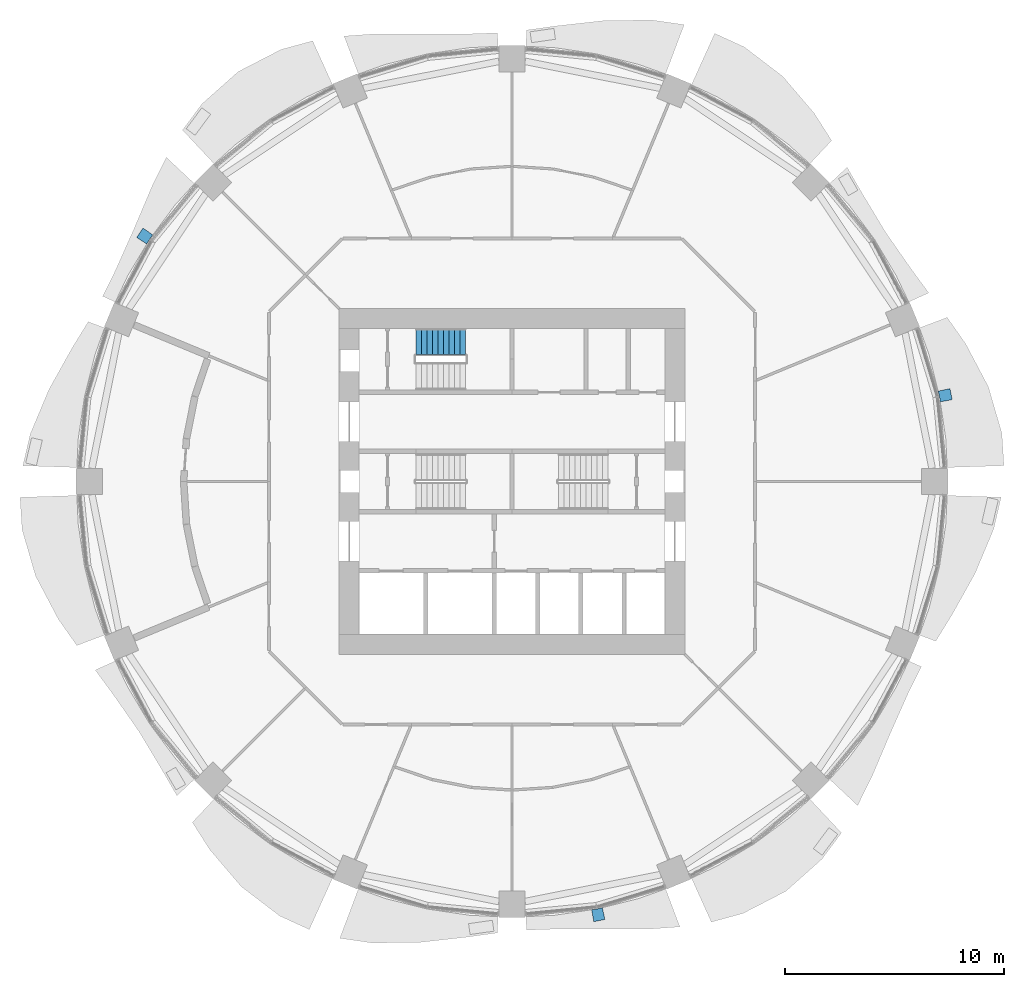
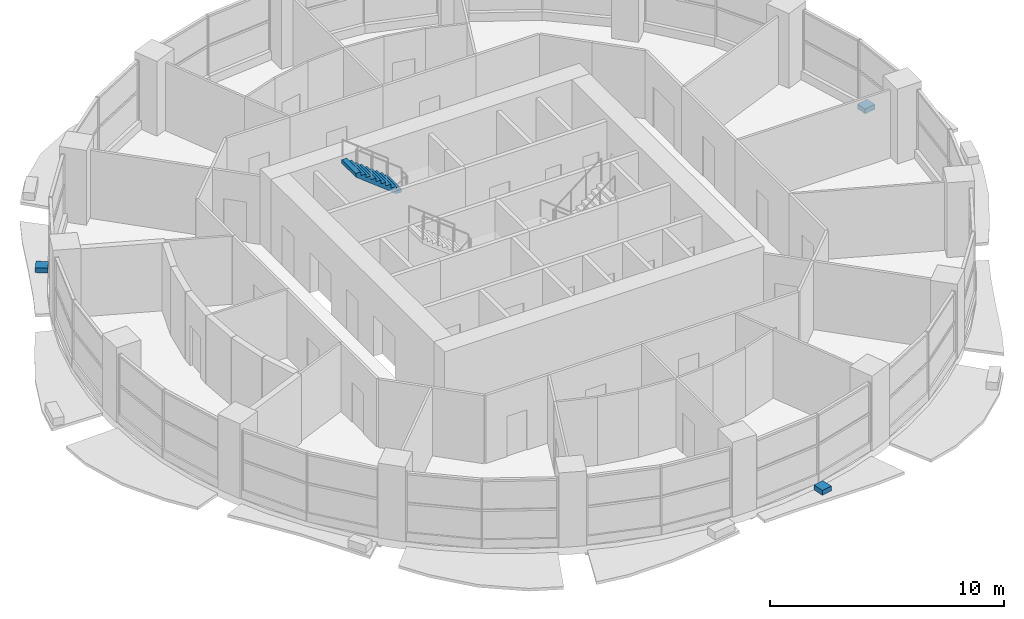
# One storey, part 11 of 15: 3 discrete accessories, 1 stair flight, 1 element without a shape of its own.
"""IFC4 building model written with IfcOpenShell, lengths in metres."""

from ifc_helpers import new_model, si_unit, direction, frame, origin, place, context, subcontext, project, spatial, polyline, outline, extrude, material, type_object, element, aggregate, save


model = new_model("IFC4")

# Units and contexts
model_context = context("Model", 3, precision=1e-05, world=origin(), true_north=direction((0.0, 1.0)))
body_context = subcontext(model_context, "Body", "Model", "MODEL_VIEW")
ifc_project = project(units=[si_unit("LENGTHUNIT", "METRE"), si_unit("AREAUNIT", "SQUARE_METRE"), si_unit("VOLUMEUNIT", "CUBIC_METRE"), si_unit("PLANEANGLEUNIT", "RADIAN"), si_unit("MASSUNIT", "GRAM", prefix="KILO")], contexts=[model_context])

# Site, building, storey
site_placement = place(None, origin())
site = spatial("IfcSite", under=ifc_project, at=site_placement, CompositionType="ELEMENT")
building_placement = place(site_placement, origin())
building = spatial("IfcBuilding", under=site, at=building_placement, Name="Polderwave Tower", CompositionType="ELEMENT")
storey_placement = place(building_placement, frame((0.0, 0.0, 18.5)))
storey = spatial("IfcBuildingStorey", under=building, at=storey_placement, Name="L04", CompositionType="ELEMENT", Elevation=18.5)

# Stair, stair flight
ifc_material_1 = material(Name="Concrete C40/50", Category="concrete")
stair_type = type_object("IfcStairType", Name="Exit stair 1200 x 20 risers", PredefinedType="HALF_TURN_STAIR", material=ifc_material_1)
stair_placement = place(storey_placement, origin())
stair = element("IfcStair", 1, at=stair_placement, inside=storey, type_object=stair_type, Name="L04 Exit stair C", PredefinedType="HALF_TURN_STAIR")
stair_flight_type = type_object("IfcStairFlightType", Name="Stair flight 1200", PredefinedType="STRAIGHT", material=ifc_material_1)
stair_flight_placement = place(storey_placement, frame((-2.1240234375, 6.3740234375, 1.949951171875), z_axis=(0.0, 0.0, 1.0), x_axis=(-1.0, 0.0, 0.0)))
stair_flight = element("IfcStairFlight", 2, at=stair_flight_placement, type_object=stair_flight_type, Name="ST-C flight 2", NumberOfRisers=10, NumberOfTreads=9, PredefinedType="STRAIGHT", RiserHeight=0.195, TreadLength=0.25, context=body_context, shape_type="SweptSolid", body=[
    extrude(outline(polyline([(0.0, 0.0), (0.0, 0.195068359375), (0.25, 0.195068359375), (0.25, 0.389892578125), (0.5, 0.389892578125), (0.5, 0.5849609375), (0.75, 0.5849609375), (0.75, 0.780029296875), (1.0, 0.780029296875), (1.0, 0.97509765625), (1.25, 0.97509765625), (1.25, 1.169921875), (1.5, 1.169921875), (1.5, 1.364990234375), (1.75, 1.364990234375), (1.75, 1.56005859375), (2.0, 1.56005859375), (2.0, 1.7548828125), (2.25, 1.7548828125), (2.25, 1.949951171875), (2.25, 1.56494140625), (0.24365234375, 0.0), (0.0, 0.0)])), frame((0.0, 0.60009765625, 0.0), z_axis=(0.0, -1.0, 0.0), x_axis=(1.0, 0.0, 0.0)), (0.0, 0.0, 1.0), 1.199951171875),
])
aggregate(stair, [stair_flight])

# Discrete accessories
ifc_material_2 = material(Name="Steel S355", Category="steel")
discrete_accessory_type = type_object("IfcDiscreteAccessoryType", Name="Band bracket pad", PredefinedType="BRACKET", material=ifc_material_2)
discrete_accessory_1_placement = place(storey_placement, frame((0.0, 0.0, -0.25)))
element("IfcDiscreteAccessory", 3, at=discrete_accessory_1_placement, inside=storey, type_object=discrete_accessory_type, Name="Band bracket L04 1", PredefinedType="BRACKET", context=body_context, shape_type="SweptSolid", body=[
    extrude(outline(polyline([(19.51513671875, 3.627197265625), (19.478515625, 3.87451171875), (19.417724609375, 4.116943359375), (19.955810546875, 4.231201171875), (20.055908203125, 3.727783203125), (19.51513671875, 3.627197265625)])), origin(), (0.0, 0.0, 1.0), 0.25),
])
discrete_accessory_2_placement = place(storey_placement, frame((0.0, 0.0, -0.25)))
element("IfcDiscreteAccessory", 4, at=discrete_accessory_2_placement, inside=storey, type_object=discrete_accessory_type, Name="Band bracket L04 7", PredefinedType="BRACKET", context=body_context, shape_type="SweptSolid", body=[
    extrude(outline(polyline([(-16.364013671875, 11.234375), (-16.512939453125, 11.03369140625), (-16.6416015625, 10.819091796875), (-17.1025390625, 11.118896484375), (-16.8173828125, 11.545654296875), (-16.364013671875, 11.234375)])), origin(), (0.0, 0.0, 1.0), 0.25),
])
discrete_accessory_3_placement = place(storey_placement, frame((0.0, 0.0, -0.25)))
element("IfcDiscreteAccessory", 5, at=discrete_accessory_3_placement, inside=storey, type_object=discrete_accessory_type, Name="Band bracket L04 13", PredefinedType="BRACKET", context=body_context, shape_type="SweptSolid", body=[
    extrude(outline(polyline([(3.627197265625, -19.51513671875), (3.87451171875, -19.478515625), (4.116943359375, -19.417724609375), (4.231201171875, -19.955810546875), (3.727783203125, -20.055908203125), (3.627197265625, -19.51513671875)])), origin(), (0.0, 0.0, 1.0), 0.25),
])

save(model, "model.ifc")
